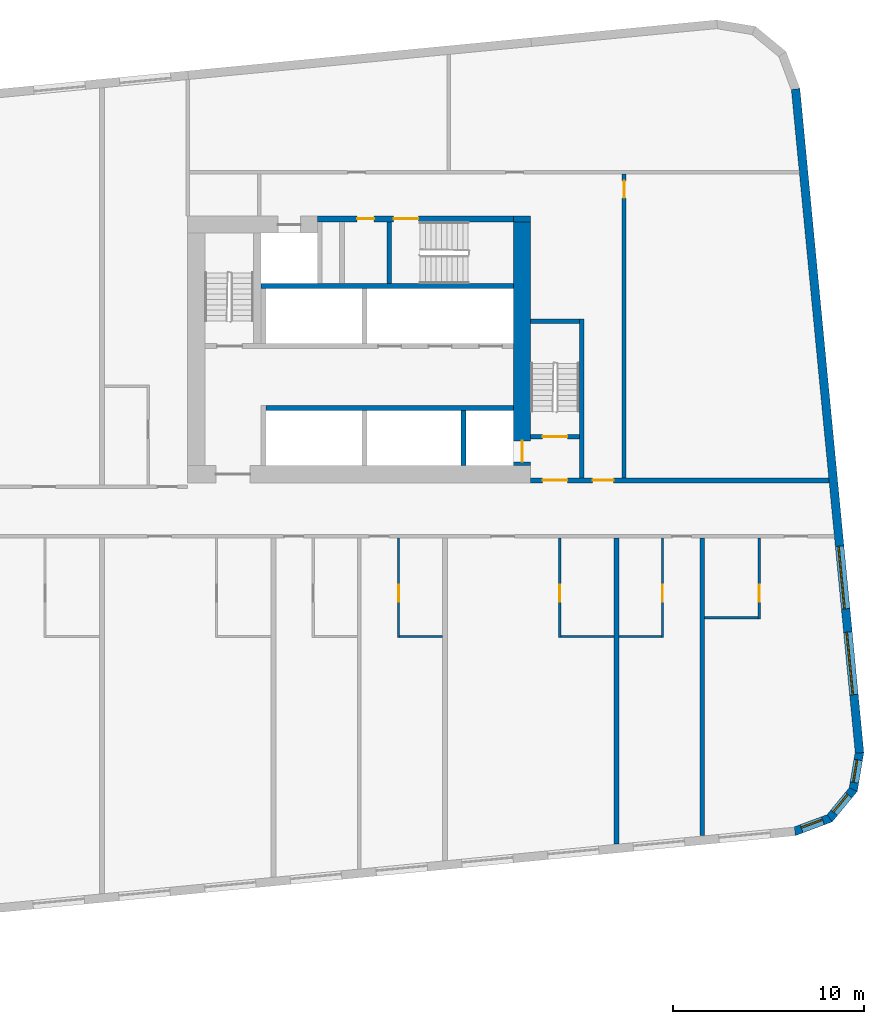
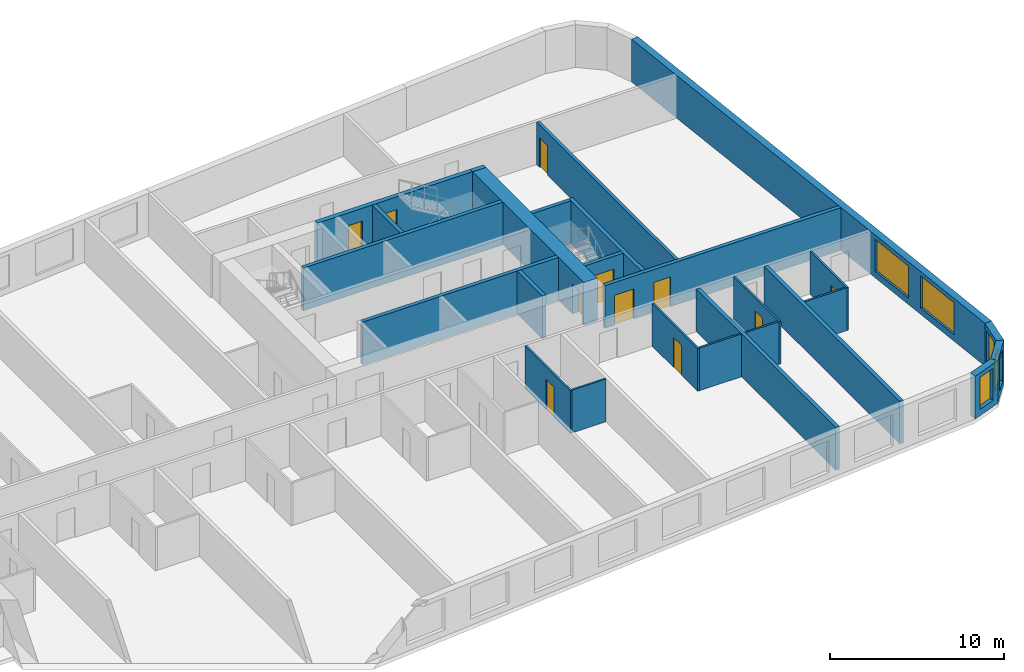
# One storey, part 7 of 12: 26 walls, 11 doors, 5 windows, 16 openings.
"""IFC4 building model written with IfcOpenShell, lengths in metres."""

from ifc_helpers import new_model, si_unit, direction, frame, frame_2d, origin, place, context, subcontext, project, spatial, polyline, rectangle, outline, extrude, material, layer, layer_set, type_object, element, fill, save


model = new_model("IFC4")

# Units and contexts
model_context = context("Model", 3, precision=1e-05, world=origin(), true_north=direction((0.0, 1.0)))
body_context = subcontext(model_context, "Body", "Model", "MODEL_VIEW")
ifc_project = project(units=[si_unit("LENGTHUNIT", "METRE"), si_unit("AREAUNIT", "SQUARE_METRE"), si_unit("VOLUMEUNIT", "CUBIC_METRE"), si_unit("PLANEANGLEUNIT", "RADIAN"), si_unit("MASSUNIT", "GRAM", prefix="KILO")], contexts=[model_context])

# Site, building, storey
site_placement = place(None, origin())
site = spatial("IfcSite", under=ifc_project, at=site_placement, CompositionType="ELEMENT")
building_placement = place(site_placement, origin())
building = spatial("IfcBuilding", under=site, at=building_placement, Name="Kajstack Hotel Tower", CompositionType="ELEMENT")
storey_placement = place(building_placement, frame((0.0, 0.0, 147.10009765625)))
storey = spatial("IfcBuildingStorey", under=building, at=storey_placement, Name="L34", CompositionType="ELEMENT", Elevation=147.10009765625)

# Wall
ifc_material_1 = material(Name="Concrete C60/75", Category="concrete")
ifc_layer_1 = layer(ifc_material_1, 0.89990234375)
ifc_layer_set_1 = layer_set([ifc_layer_1], Name="Core wall 900")
wall_type_1 = type_object("IfcWallType", Name="Core wall 900", PredefinedType="SHEAR", material=ifc_layer_set_1)
wall_1_placement = place(storey_placement, frame((30.60009765625, 15.35009765625, 0.0), z_axis=(0.0, 0.0, 1.0), x_axis=(1.0, 0.0, 0.0)))
element("IfcWall", 1, at=wall_1_placement, inside=storey, type_object=wall_type_1, Name="Core wall E RSW", PredefinedType="SHEAR", context=body_context, shape_type="SweptSolid", body=[
    extrude(rectangle(XDim=0.89990234375, YDim=0.300048828125, at=frame_2d((0.449951171875, 0.0))), origin(), (0.0, 0.0, 1.0), 3.0),
])

# Wall, opening, door
wall_2_placement = place(storey_placement, frame((31.050048828125, 2.39990234375, 0.0), z_axis=(0.0, 0.0, 1.0), x_axis=(0.0, 1.0, 0.0)))
wall_2 = element("IfcWall", 2, at=wall_2_placement, inside=storey, type_object=wall_type_1, Name="Core wall E RW", PredefinedType="SHEAR", context=body_context, shape_type="SweptSolid", body=[
    extrude(rectangle(XDim=12.800048828125, YDim=0.89990234375, at=frame_2d((6.39990234375, 0.0))), origin(), (0.0, 0.0, 1.0), 3.0),
])
opening_1_placement = place(wall_2_placement, frame((0.199951171875, 0.0, 0.0)))
opening_1 = element("IfcOpeningElement", 3, at=opening_1_placement, cuts=wall_2, Name="Opening LD-FF2", PredefinedType="OPENING", context=body_context, shape_type="SweptSolid", body=[
    extrude(rectangle(XDim=1.10009765625, YDim=2.10009765625, at=frame_2d((0.550048828125, 1.050048828125))), frame((0.0, 0.4599609375, 0.0), z_axis=(0.0, -1.0, 0.0), x_axis=(1.0, 0.0, 0.0)), (0.0, 0.0, 1.0), 0.919921875),
])
ifc_material_2 = material(Name="Stainless steel", Category="steel")
door_type_1 = type_object("IfcDoorType", Name="Fire-fighting lift landing door 1100", OperationType="SLIDING_TO_LEFT", PredefinedType="DOOR", material=ifc_material_2)
door_1_placement = place(opening_1_placement, origin())
door_1 = element("IfcDoor", 4, at=door_1_placement, inside=storey, type_object=door_type_1, Name="Landing door FF2", OperationType="SLIDING_TO_LEFT", OverallHeight=2.10009765625, OverallWidth=1.10009765625, PredefinedType="DOOR", context=body_context, shape_type="SweptSolid", body=[
    extrude(rectangle(XDim=1.10009765625, YDim=2.10009765625, at=frame_2d((0.550048828125, 1.050048828125))), frame((0.0, 0.02490234375, 0.0), z_axis=(0.0, -1.0, 0.0), x_axis=(1.0, 0.0, 0.0)), (0.0, 0.0, 1.0), 0.050048828125),
])
fill(opening_1, door_1)

# Wall, opening, window
ifc_material_3 = material(Name="Terracotta-faced brick masonry", Category="masonry")
ifc_layer_2 = layer(ifc_material_3, 0.449951171875)
ifc_layer_set_2 = layer_set([ifc_layer_2], Name="EW-TERRA")
wall_type_2 = type_object("IfcWallType", Name="EW-TERRA", PredefinedType="SOLIDWALL", material=ifc_layer_set_2)
wall_3_placement = place(storey_placement, frame((45.300048828125, -16.804443359375, 0.0), z_axis=(0.0, 0.0, 1.0), x_axis=(0.936677599948, 0.350192909346, 0.0)))
wall_3 = element("IfcWall", 5, at=wall_3_placement, inside=storey, type_object=wall_type_2, Name="E-wall-L34-05-00", PredefinedType="SOLIDWALL", context=body_context, shape_type="SweptSolid", body=[
    extrude(outline(polyline([(0.0, -0.224853515625), (2.070556640625, -0.224853515625), (1.949951171875, 0.22509765625), (0.12060546875, 0.22509765625), (0.0, -0.224853515625)])), origin(), (0.0, 0.0, 1.0), 3.0),
])
opening_2_placement = place(wall_3_placement, frame((0.435302734375, 0.0, 0.449951171875)))
opening_2 = element("IfcOpeningElement", 6, at=opening_2_placement, cuts=wall_3, Name="Opening W3", PredefinedType="OPENING", context=body_context, shape_type="SweptSolid", body=[
    extrude(rectangle(XDim=1.199951171875, YDim=2.25, at=frame_2d((0.60009765625, 1.125))), frame((0.0, 0.23486328125, 0.0), z_axis=(0.0, -1.0, 0.0), x_axis=(1.0, 0.0, 0.0)), (0.0, 0.0, 1.0), 0.469970703125),
])
ifc_material_4 = material(Name="Timber-aluminium window, triple glazed", Category="wood")
window_type_1 = type_object("IfcWindowType", Name="WG3", PartitioningType="SINGLE_PANEL", PredefinedType="WINDOW", material=ifc_material_4)
window_1_placement = place(opening_2_placement, origin())
window_1 = element("IfcWindow", 7, at=window_1_placement, inside=storey, type_object=window_type_1, Name="Window W3 L34-05", OverallHeight=2.25, OverallWidth=1.199951171875, PartitioningType="SINGLE_PANEL", PredefinedType="WINDOW", context=body_context, shape_type="SweptSolid", body=[
    extrude(rectangle(XDim=1.199951171875, YDim=2.25, at=frame_2d((0.60009765625, 1.125))), frame((0.0, 0.090087890625, 0.0), z_axis=(0.0, -1.0, 0.0), x_axis=(1.0, 0.0, 0.0)), (0.0, 0.0, 1.0), 0.06005859375),
])
fill(opening_2, window_1)

wall_4_placement = place(storey_placement, frame((47.144775390625, -16.14697265625, 0.0), z_axis=(0.0, 0.0, 1.0), x_axis=(0.635988241739, 0.771698747161, 0.0)))
wall_4 = element("IfcWall", 8, at=wall_4_placement, inside=storey, type_object=wall_type_2, Name="E-wall-L34-06-00", PredefinedType="SOLIDWALL", context=body_context, shape_type="SweptSolid", body=[
    extrude(outline(polyline([(0.0, -0.224853515625), (2.070556640625, -0.22509765625), (1.949951171875, 0.224853515625), (0.12060546875, 0.22509765625), (0.0, -0.224853515625)])), origin(), (0.0, 0.0, 1.0), 3.0),
])
opening_3_placement = place(wall_4_placement, frame((0.435302734375, 0.0, 0.449951171875)))
opening_3 = element("IfcOpeningElement", 9, at=opening_3_placement, cuts=wall_4, Name="Opening W3", PredefinedType="OPENING", context=body_context, shape_type="SweptSolid", body=[
    extrude(rectangle(XDim=1.199951171875, YDim=2.25, at=frame_2d((0.60009765625, 1.125))), frame((0.0, 0.23486328125, 0.0), z_axis=(0.0, -1.0, 0.0), x_axis=(1.0, 0.0, 0.0)), (0.0, 0.0, 1.0), 0.469970703125),
])
window_2_placement = place(opening_3_placement, origin())
window_2 = element("IfcWindow", 10, at=window_2_placement, inside=storey, type_object=window_type_1, Name="Window W3 L34-06", OverallHeight=2.25, OverallWidth=1.199951171875, PartitioningType="SINGLE_PANEL", PredefinedType="WINDOW", context=body_context, shape_type="SweptSolid", body=[
    extrude(rectangle(XDim=1.199951171875, YDim=2.25, at=frame_2d((0.60009765625, 1.125))), frame((0.0, 0.090087890625, 0.0), z_axis=(0.0, -1.0, 0.0), x_axis=(1.0, 0.0, 0.0)), (0.0, 0.0, 1.0), 0.06005859375),
])
fill(opening_3, window_2)

wall_5_placement = place(storey_placement, frame((48.413330078125, -14.6552734375, 0.0), z_axis=(0.0, 0.0, 1.0), x_axis=(0.165068144653, 0.986282164302, 0.0)))
wall_5 = element("IfcWall", 11, at=wall_5_placement, inside=storey, type_object=wall_type_2, Name="E-wall-L34-07-00", PredefinedType="SOLIDWALL", context=body_context, shape_type="SweptSolid", body=[
    extrude(outline(polyline([(0.0, -0.22509765625), (2.07080078125, -0.224853515625), (1.9501953125, 0.22509765625), (0.12060546875, 0.224853515625), (0.0, -0.22509765625)])), origin(), (0.0, 0.0, 1.0), 3.0),
])
opening_4_placement = place(wall_5_placement, frame((0.435302734375, 0.0, 0.449951171875)))
opening_4 = element("IfcOpeningElement", 12, at=opening_4_placement, cuts=wall_5, Name="Opening W3", PredefinedType="OPENING", context=body_context, shape_type="SweptSolid", body=[
    extrude(rectangle(XDim=1.199951171875, YDim=2.25, at=frame_2d((0.60009765625, 1.125))), frame((0.0, 0.23486328125, 0.0), z_axis=(0.0, -1.0, 0.0), x_axis=(1.0, 0.0, 0.0)), (0.0, 0.0, 1.0), 0.469970703125),
])
window_3_placement = place(opening_4_placement, origin())
window_3 = element("IfcWindow", 13, at=window_3_placement, inside=storey, type_object=window_type_1, Name="Window W3 L34-07", OverallHeight=2.25, OverallWidth=1.199951171875, PartitioningType="SINGLE_PANEL", PredefinedType="WINDOW", context=body_context, shape_type="SweptSolid", body=[
    extrude(rectangle(XDim=1.199951171875, YDim=2.25, at=frame_2d((0.60009765625, 1.125))), frame((0.0, 0.090087890625, 0.0), z_axis=(0.0, -1.0, 0.0), x_axis=(1.0, 0.0, 0.0)), (0.0, 0.0, 1.0), 0.06005859375),
])
fill(opening_4, window_3)

# Wall, openings, windows
wall_6_placement = place(storey_placement, frame((48.7529296875, -12.671630859375, 0.0), z_axis=(0.0, 0.0, 1.0), x_axis=(-0.095842661909, 0.995396495954, 0.0)))
wall_6 = element("IfcWall", 14, at=wall_6_placement, inside=storey, type_object=wall_type_2, Name="E-wall-L34-08-00", PredefinedType="SOLIDWALL", context=body_context, shape_type="SweptSolid", body=[
    extrude(rectangle(XDim=35.0, YDim=0.449951171875, at=frame_2d((17.5, 0.0))), origin(), (0.0, 0.0, 1.0), 3.0),
])
opening_5_placement = place(wall_6_placement, frame((3.07177734375, 0.0, 0.449951171875)))
opening_5 = element("IfcOpeningElement", 15, at=opening_5_placement, cuts=wall_6, Name="Opening W2", PredefinedType="OPENING", context=body_context, shape_type="SweptSolid", body=[
    extrude(rectangle(XDim=3.300048828125, YDim=2.25, at=frame_2d((1.64990234375, 1.125))), frame((0.0, 0.23486328125, 0.0), z_axis=(0.0, -1.0, 0.0), x_axis=(1.0, 0.0, 0.0)), (0.0, 0.0, 1.0), 0.469970703125),
])
opening_6_placement = place(wall_6_placement, frame((7.592529296875, 0.0, 0.449951171875)))
opening_6 = element("IfcOpeningElement", 16, at=opening_6_placement, cuts=wall_6, Name="Opening W2", PredefinedType="OPENING", context=body_context, shape_type="SweptSolid", body=[
    extrude(rectangle(XDim=3.300048828125, YDim=2.25, at=frame_2d((1.64990234375, 1.125))), frame((0.0, 0.23486328125, 0.0), z_axis=(0.0, -1.0, 0.0), x_axis=(1.0, 0.0, 0.0)), (0.0, 0.0, 1.0), 0.469970703125),
])
window_type_2 = type_object("IfcWindowType", Name="WG2", PartitioningType="SINGLE_PANEL", PredefinedType="WINDOW", material=ifc_material_4)
window_4_placement = place(opening_5_placement, origin())
window_4 = element("IfcWindow", 17, at=window_4_placement, inside=storey, type_object=window_type_2, Name="Window W2 L34-08", OverallHeight=2.25, OverallWidth=3.300048828125, PartitioningType="SINGLE_PANEL", PredefinedType="WINDOW", context=body_context, shape_type="SweptSolid", body=[
    extrude(rectangle(XDim=3.300048828125, YDim=2.25, at=frame_2d((1.64990234375, 1.125))), frame((0.0, 0.090087890625, 0.0), z_axis=(0.0, -1.0, 0.0), x_axis=(1.0, 0.0, 0.0)), (0.0, 0.0, 1.0), 0.06005859375),
])
fill(opening_5, window_4)
window_5_placement = place(opening_6_placement, origin())
window_5 = element("IfcWindow", 18, at=window_5_placement, inside=storey, type_object=window_type_2, Name="Window W2 L34-08", OverallHeight=2.25, OverallWidth=3.300048828125, PartitioningType="SINGLE_PANEL", PredefinedType="WINDOW", context=body_context, shape_type="SweptSolid", body=[
    extrude(rectangle(XDim=3.300048828125, YDim=2.25, at=frame_2d((1.64990234375, 1.125))), frame((0.0, 0.090087890625, 0.0), z_axis=(0.0, -1.0, 0.0), x_axis=(1.0, 0.0, 0.0)), (0.0, 0.0, 1.0), 0.06005859375),
])
fill(opening_6, window_5)

# Wall, opening, door
ifc_material_5 = material(Name="Gypsum board and tiled backer on steel studs", Category="steel")
ifc_layer_3 = layer(ifc_material_5, 0.125)
ifc_layer_set_3 = layer_set([ifc_layer_3], Name="En-suite wall 125")
wall_type_3 = type_object("IfcWallType", Name="En-suite wall 125", PredefinedType="PARTITIONING", material=ifc_layer_set_3)
wall_7_placement = place(storey_placement, frame((24.56201171875, -6.625, 0.0), z_axis=(0.0, 0.0, 1.0), x_axis=(0.0, 1.0, 0.0)))
wall_7 = element("IfcWall", 19, at=wall_7_placement, inside=storey, type_object=wall_type_3, Name="G-wall-L34-030", PredefinedType="PARTITIONING", context=body_context, shape_type="SweptSolid", body=[
    extrude(rectangle(XDim=5.22509765625, YDim=0.125, at=frame_2d((2.612548828125, 0.0))), origin(), (0.0, 0.0, 1.0), 3.0),
])
opening_7_placement = place(wall_7_placement, frame((1.875, 0.0, 0.0)))
opening_7 = element("IfcOpeningElement", 20, at=opening_7_placement, cuts=wall_7, Name="Opening 34026", PredefinedType="OPENING", context=body_context, shape_type="SweptSolid", body=[
    extrude(rectangle(XDim=0.89990234375, YDim=2.10009765625, at=frame_2d((0.449951171875, 1.050048828125))), frame((0.0, 0.072509765625, 0.0), z_axis=(0.0, -1.0, 0.0), x_axis=(1.0, 0.0, 0.0)), (0.0, 0.0, 1.0), 0.14501953125),
])
ifc_material_6 = material(Name="Painted timber door leaf", Category="wood")
door_type_2 = type_object("IfcDoorType", Name="Room door 900", OperationType="SINGLE_SWING_LEFT", PredefinedType="DOOR", material=ifc_material_6)
door_2_placement = place(opening_7_placement, origin())
door_2 = element("IfcDoor", 21, at=door_2_placement, inside=storey, type_object=door_type_2, Name="G-door-L34-26", OperationType="SINGLE_SWING_LEFT", OverallHeight=2.10009765625, OverallWidth=0.89990234375, PredefinedType="DOOR", context=body_context, shape_type="SweptSolid", body=[
    extrude(rectangle(XDim=0.89990234375, YDim=2.10009765625, at=frame_2d((0.449951171875, 1.050048828125))), frame((0.0, 0.02490234375, 0.0), z_axis=(0.0, -1.0, 0.0), x_axis=(1.0, 0.0, 0.0)), (0.0, 0.0, 1.0), 0.050048828125),
])
fill(opening_7, door_2)

# Wall
wall_8_placement = place(storey_placement, frame((24.625, -6.56201171875, 0.0), z_axis=(0.0, 0.0, 1.0), x_axis=(1.0, 0.0, 0.0)))
element("IfcWall", 22, at=wall_8_placement, inside=storey, type_object=wall_type_3, Name="G-wall-L34-031", PredefinedType="PARTITIONING", context=body_context, shape_type="SweptSolid", body=[
    extrude(rectangle(XDim=2.25, YDim=0.125, at=frame_2d((1.125, 0.0))), origin(), (0.0, 0.0, 1.0), 3.0),
])

# Wall, opening, door
wall_9_placement = place(storey_placement, frame((33.012939453125, -6.625, 0.0), z_axis=(0.0, 0.0, 1.0), x_axis=(0.0, 1.0, 0.0)))
wall_9 = element("IfcWall", 23, at=wall_9_placement, inside=storey, type_object=wall_type_3, Name="G-wall-L34-032", PredefinedType="PARTITIONING", context=body_context, shape_type="SweptSolid", body=[
    extrude(rectangle(XDim=5.22509765625, YDim=0.125, at=frame_2d((2.612548828125, 0.0))), origin(), (0.0, 0.0, 1.0), 3.0),
])
opening_8_placement = place(wall_9_placement, frame((1.875, 0.0, 0.0)))
opening_8 = element("IfcOpeningElement", 24, at=opening_8_placement, cuts=wall_9, Name="Opening 34028", PredefinedType="OPENING", context=body_context, shape_type="SweptSolid", body=[
    extrude(rectangle(XDim=0.89990234375, YDim=2.10009765625, at=frame_2d((0.449951171875, 1.050048828125))), frame((0.0, 0.072509765625, 0.0), z_axis=(0.0, -1.0, 0.0), x_axis=(1.0, 0.0, 0.0)), (0.0, 0.0, 1.0), 0.14501953125),
])
door_3_placement = place(opening_8_placement, origin())
door_3 = element("IfcDoor", 25, at=door_3_placement, inside=storey, type_object=door_type_2, Name="G-door-L34-28", OperationType="SINGLE_SWING_RIGHT", OverallHeight=2.10009765625, OverallWidth=0.89990234375, PredefinedType="DOOR", context=body_context, shape_type="SweptSolid", body=[
    extrude(rectangle(XDim=0.89990234375, YDim=2.10009765625, at=frame_2d((0.449951171875, 1.050048828125))), frame((0.0, 0.02490234375, 0.0), z_axis=(0.0, -1.0, 0.0), x_axis=(1.0, 0.0, 0.0)), (0.0, 0.0, 1.0), 0.050048828125),
])
fill(opening_8, door_3)

# Wall
wall_10_placement = place(storey_placement, frame((33.074951171875, -6.56201171875, 0.0), z_axis=(0.0, 0.0, 1.0), x_axis=(1.0, 0.0, 0.0)))
element("IfcWall", 26, at=wall_10_placement, inside=storey, type_object=wall_type_3, Name="G-wall-L34-033", PredefinedType="PARTITIONING", context=body_context, shape_type="SweptSolid", body=[
    extrude(rectangle(XDim=2.800048828125, YDim=0.125, at=frame_2d((1.39990234375, 0.0))), origin(), (0.0, 0.0, 1.0), 3.0),
])

# Wall, opening, door
wall_11_placement = place(storey_placement, frame((38.4130859375, -6.625, 0.0), z_axis=(0.0, 0.0, 1.0), x_axis=(0.0, 1.0, 0.0)))
wall_11 = element("IfcWall", 27, at=wall_11_placement, inside=storey, type_object=wall_type_3, Name="G-wall-L34-034", PredefinedType="PARTITIONING", context=body_context, shape_type="SweptSolid", body=[
    extrude(rectangle(XDim=5.22509765625, YDim=0.125, at=frame_2d((2.612548828125, 0.0))), origin(), (0.0, 0.0, 1.0), 3.0),
])
opening_9_placement = place(wall_11_placement, frame((1.875, 0.0, 0.0)))
opening_9 = element("IfcOpeningElement", 28, at=opening_9_placement, cuts=wall_11, Name="Opening 34030", PredefinedType="OPENING", context=body_context, shape_type="SweptSolid", body=[
    extrude(rectangle(XDim=0.89990234375, YDim=2.10009765625, at=frame_2d((0.449951171875, 1.050048828125))), frame((0.0, 0.072509765625, 0.0), z_axis=(0.0, -1.0, 0.0), x_axis=(1.0, 0.0, 0.0)), (0.0, 0.0, 1.0), 0.14501953125),
])
door_4_placement = place(opening_9_placement, origin())
door_4 = element("IfcDoor", 29, at=door_4_placement, inside=storey, type_object=door_type_2, Name="G-door-L34-30", OperationType="SINGLE_SWING_RIGHT", OverallHeight=2.10009765625, OverallWidth=0.89990234375, PredefinedType="DOOR", context=body_context, shape_type="SweptSolid", body=[
    extrude(rectangle(XDim=0.89990234375, YDim=2.10009765625, at=frame_2d((0.449951171875, 1.050048828125))), frame((0.0, 0.02490234375, 0.0), z_axis=(0.0, -1.0, 0.0), x_axis=(1.0, 0.0, 0.0)), (0.0, 0.0, 1.0), 0.050048828125),
])
fill(opening_9, door_4)

# Wall
wall_12_placement = place(storey_placement, frame((36.125, -6.56201171875, 0.0), z_axis=(0.0, 0.0, 1.0), x_axis=(1.0, 0.0, 0.0)))
element("IfcWall", 30, at=wall_12_placement, inside=storey, type_object=wall_type_3, Name="G-wall-L34-035", PredefinedType="PARTITIONING", context=body_context, shape_type="SweptSolid", body=[
    extrude(rectangle(XDim=2.22509765625, YDim=0.125, at=frame_2d((1.112548828125, 0.0))), origin(), (0.0, 0.0, 1.0), 3.0),
])

# Wall, opening, door
wall_13_placement = place(storey_placement, frame((43.487060546875, -5.634033203125, 0.0), z_axis=(0.0, 0.0, 1.0), x_axis=(0.0, 1.0, 0.0)))
wall_13 = element("IfcWall", 31, at=wall_13_placement, inside=storey, type_object=wall_type_3, Name="G-wall-L34-036", PredefinedType="PARTITIONING", context=body_context, shape_type="SweptSolid", body=[
    extrude(rectangle(XDim=4.234130859375, YDim=0.125, at=frame_2d((2.1171875, 0.0))), origin(), (0.0, 0.0, 1.0), 3.0),
])
opening_10_placement = place(wall_13_placement, frame((0.884033203125, 0.0, 0.0)))
opening_10 = element("IfcOpeningElement", 32, at=opening_10_placement, cuts=wall_13, Name="Opening 34032", PredefinedType="OPENING", context=body_context, shape_type="SweptSolid", body=[
    extrude(rectangle(XDim=0.89990234375, YDim=2.10009765625, at=frame_2d((0.449951171875, 1.050048828125))), frame((0.0, 0.072509765625, 0.0), z_axis=(0.0, -1.0, 0.0), x_axis=(1.0, 0.0, 0.0)), (0.0, 0.0, 1.0), 0.14501953125),
])
door_5_placement = place(opening_10_placement, origin())
door_5 = element("IfcDoor", 33, at=door_5_placement, inside=storey, type_object=door_type_2, Name="G-door-L34-32", OperationType="SINGLE_SWING_RIGHT", OverallHeight=2.10009765625, OverallWidth=0.89990234375, PredefinedType="DOOR", context=body_context, shape_type="SweptSolid", body=[
    extrude(rectangle(XDim=0.89990234375, YDim=2.10009765625, at=frame_2d((0.449951171875, 1.050048828125))), frame((0.0, 0.02490234375, 0.0), z_axis=(0.0, -1.0, 0.0), x_axis=(1.0, 0.0, 0.0)), (0.0, 0.0, 1.0), 0.050048828125),
])
fill(opening_10, door_5)

# Walls
wall_14_placement = place(storey_placement, frame((40.625, -5.572021484375, 0.0), z_axis=(0.0, 0.0, 1.0), x_axis=(1.0, 0.0, 0.0)))
element("IfcWall", 34, at=wall_14_placement, inside=storey, type_object=wall_type_3, Name="G-wall-L34-037", PredefinedType="PARTITIONING", context=body_context, shape_type="SweptSolid", body=[
    extrude(rectangle(XDim=2.800048828125, YDim=0.125, at=frame_2d((1.39990234375, 0.0))), origin(), (0.0, 0.0, 1.0), 3.0),
])
ifc_material_7 = material(Name="Concrete C55/67", Category="concrete")
ifc_layer_4 = layer(ifc_material_7, 0.25)
ifc_layer_set_4 = layer_set([ifc_layer_4], Name="RC cross wall 250 C55/67")
wall_type_4 = type_object("IfcWallType", Name="RC cross wall 250 C55/67", PredefinedType="SHEAR", material=ifc_layer_set_4)
wall_15_placement = place(storey_placement, frame((36.0, -17.444091796875, 0.0), z_axis=(0.0, 0.0, 1.0), x_axis=(0.0, 1.0, 0.0)))
element("IfcWall", 35, at=wall_15_placement, inside=storey, type_object=wall_type_4, Name="S-wall-L34-12", PredefinedType="SHEAR", context=body_context, shape_type="SweptSolid", body=[
    extrude(rectangle(XDim=16.044189453125, YDim=0.25, at=frame_2d((8.02197265625, 0.0))), origin(), (0.0, 0.0, 1.0), 3.0),
])
wall_16_placement = place(storey_placement, frame((40.5, -17.0107421875, 0.0), z_axis=(0.0, 0.0, 1.0), x_axis=(0.0, 1.0, 0.0)))
element("IfcWall", 36, at=wall_16_placement, inside=storey, type_object=wall_type_4, Name="S-wall-L34-13", PredefinedType="SHEAR", context=body_context, shape_type="SweptSolid", body=[
    extrude(rectangle(XDim=15.61083984375, YDim=0.25, at=frame_2d((7.805419921875, 0.0))), origin(), (0.0, 0.0, 1.0), 3.0),
])

# Wall, openings, doors
ifc_material_8 = material(Name="Gypsum board on steel studs, mineral wool", Category="steel")
ifc_layer_5 = layer(ifc_material_8, 0.199951171875)
ifc_layer_set_5 = layer_set([ifc_layer_5], Name="Service partition 200")
wall_type_5 = type_object("IfcWallType", Name="Service partition 200", PredefinedType="PARTITIONING", material=ifc_layer_set_5)
wall_17_placement = place(storey_placement, frame((31.5, 1.625, 0.0), z_axis=(0.0, 0.0, 1.0), x_axis=(1.0, 0.0, 0.0)))
wall_17 = element("IfcWall", 37, at=wall_17_placement, inside=storey, type_object=wall_type_5, Name="Partition E SN", PredefinedType="PARTITIONING", context=body_context, shape_type="SweptSolid", body=[
    extrude(rectangle(XDim=15.650390625, YDim=0.25, at=frame_2d((7.8251953125, 0.0))), origin(), (0.0, 0.0, 1.0), 3.0),
])
opening_11_placement = place(wall_17_placement, frame((0.625, 0.0, 0.0)))
opening_11 = element("IfcOpeningElement", 38, at=opening_11_placement, cuts=wall_17, Name="Opening 34E07", PredefinedType="OPENING", context=body_context, shape_type="SweptSolid", body=[
    extrude(rectangle(XDim=1.300048828125, YDim=2.10009765625, at=frame_2d((0.64990234375, 1.050048828125))), frame((0.0, 0.135009765625, 0.0), z_axis=(0.0, -1.0, 0.0), x_axis=(1.0, 0.0, 0.0)), (0.0, 0.0, 1.0), 0.27001953125),
])
opening_12_placement = place(wall_17_placement, frame((3.25, 0.0, 0.0)))
opening_12 = element("IfcOpeningElement", 39, at=opening_12_placement, cuts=wall_17, Name="Opening 34E09", PredefinedType="OPENING", context=body_context, shape_type="SweptSolid", body=[
    extrude(rectangle(XDim=1.10009765625, YDim=2.10009765625, at=frame_2d((0.550048828125, 1.050048828125))), frame((0.0, 0.135009765625, 0.0), z_axis=(0.0, -1.0, 0.0), x_axis=(1.0, 0.0, 0.0)), (0.0, 0.0, 1.0), 0.27001953125),
])
ifc_material_9 = material(Name="Steel leaf, fire-rated", Category="steel")
door_type_3 = type_object("IfcDoorType", Name="Fire lobby door 1300", OperationType="SINGLE_SWING_LEFT", PredefinedType="DOOR", material=ifc_material_9)
door_6_placement = place(opening_11_placement, origin())
door_6 = element("IfcDoor", 40, at=door_6_placement, inside=storey, type_object=door_type_3, Name="Door 34E07", OperationType="SINGLE_SWING_LEFT", OverallHeight=2.10009765625, OverallWidth=1.300048828125, PredefinedType="DOOR", context=body_context, shape_type="SweptSolid", body=[
    extrude(rectangle(XDim=1.300048828125, YDim=2.10009765625, at=frame_2d((0.64990234375, 1.050048828125))), frame((0.0, 0.02490234375, 0.0), z_axis=(0.0, -1.0, 0.0), x_axis=(1.0, 0.0, 0.0)), (0.0, 0.0, 1.0), 0.050048828125),
])
fill(opening_11, door_6)
ifc_material_10 = material(Name="Timber leaf, fire-rated", Category="wood")
door_type_4 = type_object("IfcDoorType", Name="Service corridor door 1100", OperationType="SINGLE_SWING_LEFT", PredefinedType="DOOR", material=ifc_material_10)
door_7_placement = place(opening_12_placement, origin())
door_7 = element("IfcDoor", 41, at=door_7_placement, inside=storey, type_object=door_type_4, Name="Door 34E09", OperationType="SINGLE_SWING_LEFT", OverallHeight=2.10009765625, OverallWidth=1.10009765625, PredefinedType="DOOR", context=body_context, shape_type="SweptSolid", body=[
    extrude(rectangle(XDim=1.10009765625, YDim=2.10009765625, at=frame_2d((0.550048828125, 1.050048828125))), frame((0.0, 0.02490234375, 0.0), z_axis=(0.0, -1.0, 0.0), x_axis=(1.0, 0.0, 0.0)), (0.0, 0.0, 1.0), 0.050048828125),
])
fill(opening_12, door_7)

# Wall, opening, door
wall_18_placement = place(storey_placement, frame((36.39990234375, 1.75, 0.0), z_axis=(0.0, 0.0, 1.0), x_axis=(0.0, 1.0, 0.0)))
wall_18 = element("IfcWall", 42, at=wall_18_placement, inside=storey, type_object=wall_type_5, Name="Partition E WRE", PredefinedType="PARTITIONING", context=body_context, shape_type="SweptSolid", body=[
    extrude(rectangle(XDim=15.949951171875, YDim=0.199951171875, at=frame_2d((7.97509765625, 0.0))), origin(), (0.0, 0.0, 1.0), 3.0),
])
opening_13_placement = place(wall_18_placement, frame((14.699951171875, 0.0, 0.0)))
opening_13 = element("IfcOpeningElement", 43, at=opening_13_placement, cuts=wall_18, Name="Opening 34E15", PredefinedType="OPENING", context=body_context, shape_type="SweptSolid", body=[
    extrude(rectangle(XDim=0.89990234375, YDim=2.10009765625, at=frame_2d((0.449951171875, 1.050048828125))), frame((0.0, 0.10986328125, 0.0), z_axis=(0.0, -1.0, 0.0), x_axis=(1.0, 0.0, 0.0)), (0.0, 0.0, 1.0), 0.219970703125),
])
door_type_5 = type_object("IfcDoorType", Name="Service door 900", OperationType="SINGLE_SWING_LEFT", PredefinedType="DOOR", material=ifc_material_10)
door_8_placement = place(opening_13_placement, origin())
door_8 = element("IfcDoor", 44, at=door_8_placement, inside=storey, type_object=door_type_5, Name="Door 34E15", OperationType="SINGLE_SWING_RIGHT", OverallHeight=2.10009765625, OverallWidth=0.89990234375, PredefinedType="DOOR", context=body_context, shape_type="SweptSolid", body=[
    extrude(rectangle(XDim=0.89990234375, YDim=2.10009765625, at=frame_2d((0.449951171875, 1.050048828125))), frame((0.0, 0.02490234375, 0.0), z_axis=(0.0, -1.0, 0.0), x_axis=(1.0, 0.0, 0.0)), (0.0, 0.0, 1.0), 0.050048828125),
])
fill(opening_13, door_8)

# Wall, openings, doors
ifc_material_11 = material(Name="Concrete C50/60", Category="concrete")
ifc_layer_6 = layer(ifc_material_11, 0.25)
ifc_layer_set_6 = layer_set([ifc_layer_6], Name="Shaft wall 250")
wall_type_6 = type_object("IfcWallType", Name="Shaft wall 250", PredefinedType="SHEAR", material=ifc_layer_set_6)
wall_19_placement = place(storey_placement, frame((20.300048828125, 15.35009765625, 0.0), z_axis=(0.0, 0.0, 1.0), x_axis=(1.0, 0.0, 0.0)))
wall_19 = element("IfcWall", 45, at=wall_19_placement, inside=storey, type_object=wall_type_6, Name="Core wall E RSS", PredefinedType="SHEAR", context=body_context, shape_type="SweptSolid", body=[
    extrude(rectangle(XDim=10.300048828125, YDim=0.300048828125, at=frame_2d((5.14990234375, 0.0))), origin(), (0.0, 0.0, 1.0), 3.0),
])
opening_14_placement = place(wall_19_placement, frame((4.0, 0.0, 0.0)))
opening_14 = element("IfcOpeningElement", 46, at=opening_14_placement, cuts=wall_19, Name="Opening 34E11", PredefinedType="OPENING", context=body_context, shape_type="SweptSolid", body=[
    extrude(rectangle(XDim=1.300048828125, YDim=2.10009765625, at=frame_2d((0.64990234375, 1.050048828125))), frame((0.0, 0.159912109375, 0.0), z_axis=(0.0, -1.0, 0.0), x_axis=(1.0, 0.0, 0.0)), (0.0, 0.0, 1.0), 0.320068359375),
])
opening_15_placement = place(wall_19_placement, frame((2.08740234375, 0.0, 0.0)))
opening_15 = element("IfcOpeningElement", 47, at=opening_15_placement, cuts=wall_19, Name="Opening 34E12", PredefinedType="OPENING", context=body_context, shape_type="SweptSolid", body=[
    extrude(rectangle(XDim=0.89990234375, YDim=2.10009765625, at=frame_2d((0.449951171875, 1.050048828125))), frame((0.0, 0.159912109375, 0.0), z_axis=(0.0, -1.0, 0.0), x_axis=(1.0, 0.0, 0.0)), (0.0, 0.0, 1.0), 0.320068359375),
])
door_9_placement = place(opening_15_placement, origin())
door_9 = element("IfcDoor", 48, at=door_9_placement, inside=storey, type_object=door_type_5, Name="Door 34E12", OperationType="SINGLE_SWING_RIGHT", OverallHeight=2.10009765625, OverallWidth=0.89990234375, PredefinedType="DOOR", context=body_context, shape_type="SweptSolid", body=[
    extrude(rectangle(XDim=0.89990234375, YDim=2.10009765625, at=frame_2d((0.449951171875, 1.050048828125))), frame((0.0, 0.02490234375, 0.0), z_axis=(0.0, -1.0, 0.0), x_axis=(1.0, 0.0, 0.0)), (0.0, 0.0, 1.0), 0.050048828125),
])
fill(opening_15, door_9)
door_type_6 = type_object("IfcDoorType", Name="Stair door 1300", OperationType="SINGLE_SWING_LEFT", PredefinedType="DOOR", material=ifc_material_9)
door_10_placement = place(opening_14_placement, origin())
door_10 = element("IfcDoor", 49, at=door_10_placement, inside=storey, type_object=door_type_6, Name="Door 34E11", OperationType="SINGLE_SWING_LEFT", OverallHeight=2.10009765625, OverallWidth=1.300048828125, PredefinedType="DOOR", context=body_context, shape_type="SweptSolid", body=[
    extrude(rectangle(XDim=1.300048828125, YDim=2.10009765625, at=frame_2d((0.64990234375, 1.050048828125))), frame((0.0, 0.02490234375, 0.0), z_axis=(0.0, -1.0, 0.0), x_axis=(1.0, 0.0, 0.0)), (0.0, 0.0, 1.0), 0.050048828125),
])
fill(opening_14, door_10)

# Walls
wall_20_placement = place(storey_placement, frame((17.60009765625, 5.425048828125, 0.0), z_axis=(0.0, 0.0, 1.0), x_axis=(1.0, 0.0, 0.0)))
element("IfcWall", 50, at=wall_20_placement, inside=storey, type_object=wall_type_6, Name="Core wall E FA", PredefinedType="SHEAR", context=body_context, shape_type="SweptSolid", body=[
    extrude(rectangle(XDim=13.0, YDim=0.25, at=frame_2d((6.5, 0.0))), origin(), (0.0, 0.0, 1.0), 3.0),
])
wall_21_placement = place(storey_placement, frame((27.97509765625, 2.39990234375, 0.0), z_axis=(0.0, 0.0, 1.0), x_axis=(0.0, 1.0, 0.0)))
element("IfcWall", 51, at=wall_21_placement, inside=storey, type_object=wall_type_6, Name="Core wall E AP0", PredefinedType="SHEAR", context=body_context, shape_type="SweptSolid", body=[
    extrude(rectangle(XDim=2.900146484375, YDim=0.25, at=frame_2d((1.4501953125, 0.0))), origin(), (0.0, 0.0, 1.0), 3.0),
])
wall_22_placement = place(storey_placement, frame((17.35009765625, 11.824951171875, 0.0), z_axis=(0.0, 0.0, 1.0), x_axis=(1.0, 0.0, 0.0)))
element("IfcWall", 52, at=wall_22_placement, inside=storey, type_object=wall_type_6, Name="Core wall E RB", PredefinedType="SHEAR", context=body_context, shape_type="SweptSolid", body=[
    extrude(rectangle(XDim=13.25, YDim=0.25, at=frame_2d((6.625, 0.0))), origin(), (0.0, 0.0, 1.0), 3.0),
])

# Wall, opening, door
ifc_material_12 = material(Name="Concrete C40/50", Category="concrete")
ifc_layer_7 = layer(ifc_material_12, 0.25)
ifc_layer_set_7 = layer_set([ifc_layer_7], Name="Stair enclosure wall 250")
wall_type_7 = type_object("IfcWallType", Name="Stair enclosure wall 250", PredefinedType="SHEAR", material=ifc_layer_set_7)
wall_23_placement = place(storey_placement, frame((31.5, 3.925048828125, 0.0), z_axis=(0.0, 0.0, 1.0), x_axis=(1.0, 0.0, 0.0)))
wall_23 = element("IfcWall", 53, at=wall_23_placement, inside=storey, type_object=wall_type_7, Name="Core wall E W1N", PredefinedType="SHEAR", context=body_context, shape_type="SweptSolid", body=[
    extrude(rectangle(XDim=2.550048828125, YDim=0.25, at=frame_2d((1.27490234375, 0.0))), origin(), (0.0, 0.0, 1.0), 3.0),
])
opening_16_placement = place(wall_23_placement, frame((0.625, 0.0, 0.0)))
opening_16 = element("IfcOpeningElement", 54, at=opening_16_placement, cuts=wall_23, Name="Opening 34E08", PredefinedType="OPENING", context=body_context, shape_type="SweptSolid", body=[
    extrude(rectangle(XDim=1.300048828125, YDim=2.10009765625, at=frame_2d((0.64990234375, 1.050048828125))), frame((0.0, 0.135009765625, 0.0), z_axis=(0.0, -1.0, 0.0), x_axis=(1.0, 0.0, 0.0)), (0.0, 0.0, 1.0), 0.27001953125),
])
door_11_placement = place(opening_16_placement, origin())
door_11 = element("IfcDoor", 55, at=door_11_placement, inside=storey, type_object=door_type_6, Name="Door 34E08", OperationType="SINGLE_SWING_LEFT", OverallHeight=2.10009765625, OverallWidth=1.300048828125, PredefinedType="DOOR", context=body_context, shape_type="SweptSolid", body=[
    extrude(rectangle(XDim=1.300048828125, YDim=2.10009765625, at=frame_2d((0.64990234375, 1.050048828125))), frame((0.0, 0.02490234375, 0.0), z_axis=(0.0, -1.0, 0.0), x_axis=(1.0, 0.0, 0.0)), (0.0, 0.0, 1.0), 0.050048828125),
])
fill(opening_16, door_11)

# Walls
wall_24_placement = place(storey_placement, frame((34.175048828125, 1.75, 0.0), z_axis=(0.0, 0.0, 1.0), x_axis=(0.0, 1.0, 0.0)))
element("IfcWall", 56, at=wall_24_placement, inside=storey, type_object=wall_type_7, Name="Core wall E W1W", PredefinedType="SHEAR", context=body_context, shape_type="SweptSolid", body=[
    extrude(rectangle(XDim=8.35009765625, YDim=0.25, at=frame_2d((4.175048828125, 0.0))), origin(), (0.0, 0.0, 1.0), 3.0),
])
wall_25_placement = place(storey_placement, frame((31.5, 9.97509765625, 0.0), z_axis=(0.0, 0.0, 1.0), x_axis=(1.0, 0.0, 0.0)))
element("IfcWall", 57, at=wall_25_placement, inside=storey, type_object=wall_type_7, Name="Core wall E W1S", PredefinedType="SHEAR", context=body_context, shape_type="SweptSolid", body=[
    extrude(rectangle(XDim=2.550048828125, YDim=0.25, at=frame_2d((1.27490234375, 0.0))), origin(), (0.0, 0.0, 1.0), 3.0),
])
ifc_layer_8 = layer(ifc_material_11, 0.35009765625)
ifc_layer_set_8 = layer_set([ifc_layer_8], Name="Stair enclosure wall 350")
wall_type_8 = type_object("IfcWallType", Name="Stair enclosure wall 350", PredefinedType="SHEAR", material=ifc_layer_set_8)
wall_26_placement = place(storey_placement, frame((24.074951171875, 11.949951171875, 0.0), z_axis=(0.0, 0.0, 1.0), x_axis=(0.0, 1.0, 0.0)))
element("IfcWall", 58, at=wall_26_placement, inside=storey, type_object=wall_type_8, Name="Core wall E W3E", PredefinedType="SHEAR", context=body_context, shape_type="SweptSolid", body=[
    extrude(rectangle(XDim=3.25, YDim=0.25, at=frame_2d((1.625, 0.0))), origin(), (0.0, 0.0, 1.0), 3.0),
])

save(model, "model.ifc")
